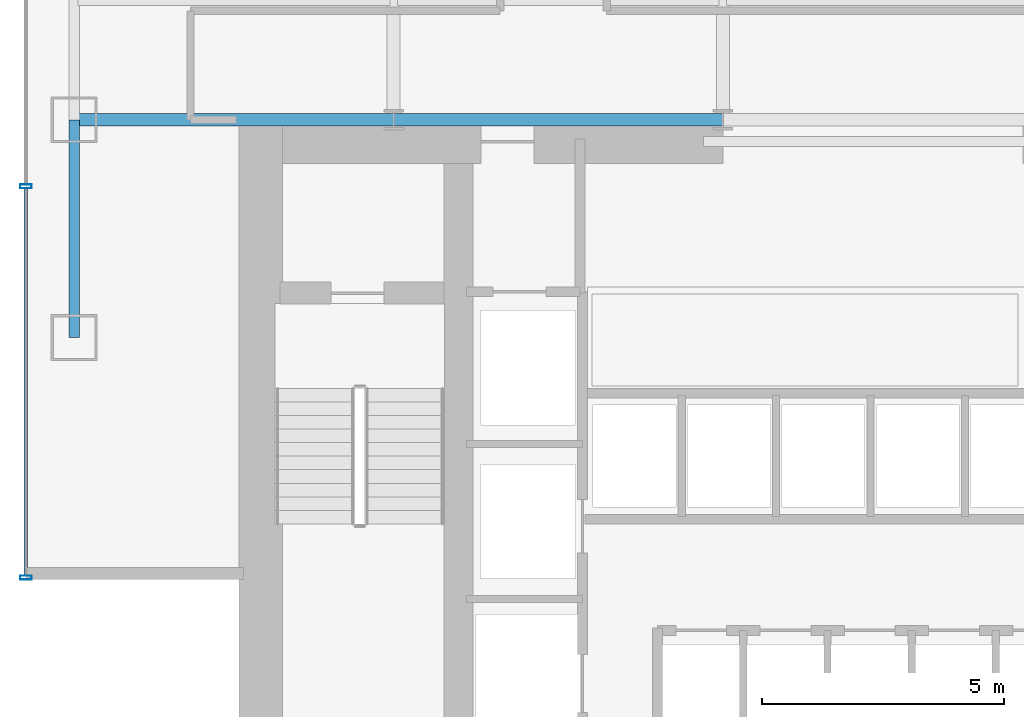
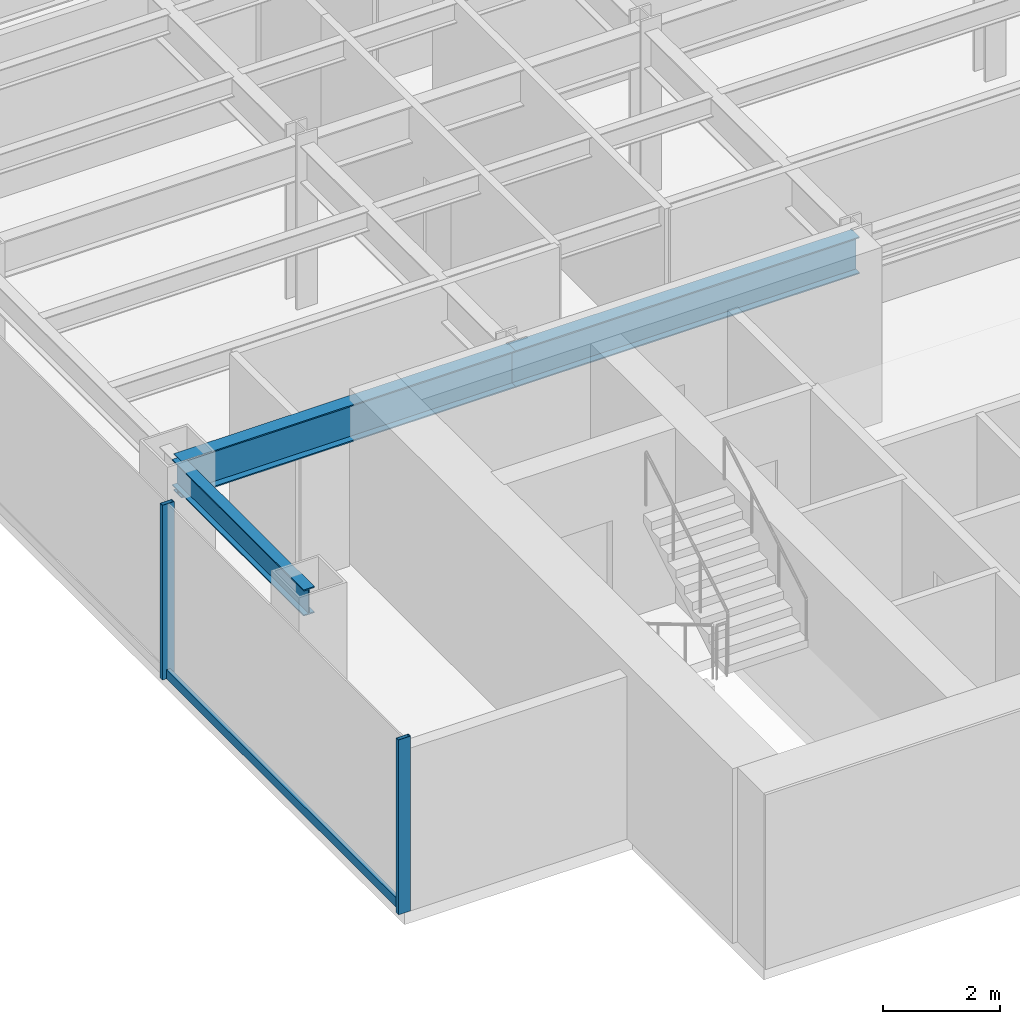
# One storey, part 2 of 22: 3 beams, 3 members, 1 element without a shape of its own.
"""IFC4 building model written with IfcOpenShell, lengths in metres."""

from ifc_helpers import new_model, si_unit, derived_unit, direction, frame, origin, origin_2d, place, context, subcontext, project, spatial, hollow_rectangle, i_section, extrude, source, transform, mapped, material, material_profile, profile_set, type_object, element, aggregate, save


model = new_model("IFC4")

# Units and contexts
model_context = context("Model", 3, precision=1e-05, world=origin(), true_north=direction((0.0, 1.0)))
body_context = subcontext(model_context, "Body", "Model", "MODEL_VIEW")
ifc_project = project(units=[si_unit("LENGTHUNIT", "METRE"), si_unit("AREAUNIT", "SQUARE_METRE"), si_unit("VOLUMEUNIT", "CUBIC_METRE"), si_unit("PLANEANGLEUNIT", "RADIAN"), si_unit("MASSUNIT", "GRAM", prefix="KILO"), derived_unit("THERMALTRANSMITTANCEUNIT", [(si_unit("POWERUNIT", "WATT"), 1), (si_unit("LENGTHUNIT", "METRE"), -2), (si_unit("THERMODYNAMICTEMPERATUREUNIT", "KELVIN"), -1)])], contexts=[model_context])

# Site, building, storey
site_placement = place(None, origin())
site = spatial("IfcSite", under=ifc_project, at=site_placement, CompositionType="ELEMENT")
building_placement = place(site_placement, origin())
building = spatial("IfcBuilding", under=site, at=building_placement, Name="Skarnbrae Concourse Arena and Tower", CompositionType="ELEMENT")
storey_placement = place(building_placement, frame((0.0, 0.0, 61.699951171875)))
storey = spatial("IfcBuildingStorey", under=building, at=storey_placement, Name="L14", CompositionType="ELEMENT", Elevation=61.699951171875)

# Beams
ifc_material_1 = material(Name="Steel CSA G40.21 350W", Category="steel")
ifc_material_profile_1 = material_profile(ifc_material_1, i_section(OverallWidth=0.26806640625, OverallDepth=0.77001953125, WebThickness=0.015625, FlangeThickness=0.025390625, at=origin_2d()), Name="W760X196")
ifc_profile_set_1 = profile_set([ifc_material_profile_1], Name="Steel CSA G40.21 350W")
beam_type_1 = type_object("IfcBeamType", Name="BM-GIRD-W760X196", PredefinedType="BEAM", material=ifc_profile_set_1)
shared_shape_1 = source(origin(), body_context, "Body", "SweptSolid", [
    extrude(i_section(OverallWidth=0.26806640625, OverallDepth=0.77001953125, WebThickness=0.015625, FlangeThickness=0.025390625, at=origin_2d()), origin(), (0.0, 0.0, 1.0), 6.60009765625),
])
beam_1_placement = place(storey_placement, frame((1.0, 14.0, 3.01513671875), z_axis=(1.0, 0.0, 0.0), x_axis=(0.0, 1.0, 0.0)))
element("IfcBeam", 1, at=beam_1_placement, inside=storey, type_object=beam_type_1, Name="L14 Primary E-W girder Y14.0-1", PredefinedType="BEAM", context=body_context, shape_type="MappedRepresentation", body=[
    mapped(shared_shape_1, transform((0.0, 0.0, 0.0))),
])
shared_shape_2 = source(origin(), body_context, "Body", "SweptSolid", [
    extrude(i_section(OverallWidth=0.26806640625, OverallDepth=0.77001953125, WebThickness=0.015625, FlangeThickness=0.025390625, at=origin_2d()), origin(), (0.0, 0.0, 1.0), 6.7998046875),
])
beam_2_placement = place(storey_placement, frame((7.60009765625, 14.0, 3.01513671875), z_axis=(1.0, 0.0, 0.0), x_axis=(0.0, 1.0, 0.0)))
element("IfcBeam", 2, at=beam_2_placement, inside=storey, type_object=beam_type_1, Name="L14 Primary E-W girder Y14.0-2", PredefinedType="BEAM", context=body_context, shape_type="MappedRepresentation", body=[
    mapped(shared_shape_2, transform((0.0, 0.0, 0.0))),
])
ifc_material_profile_2 = material_profile(ifc_material_1, i_section(OverallWidth=0.214111328125, OverallDepth=0.549072265625, WebThickness=0.0146484375, FlangeThickness=0.023681640625, at=origin_2d()), Name="W530X138")
ifc_profile_set_2 = profile_set([ifc_material_profile_2], Name="Steel CSA G40.21 350W")
beam_type_2 = type_object("IfcBeamType", Name="BM-SPAN-W530X138", PredefinedType="SPANDREL", material=ifc_profile_set_2)
shared_shape_3 = source(origin(), body_context, "Body", "SweptSolid", [
    extrude(i_section(OverallWidth=0.214111328125, OverallDepth=0.549072265625, WebThickness=0.0146484375, FlangeThickness=0.023681640625, at=origin_2d()), origin(), (0.0, 0.0, 1.0), 4.5),
])
beam_3_placement = place(storey_placement, frame((1.0, 9.5, 3.12548828125), z_axis=(0.0, 1.0, 0.0), x_axis=(-1.0, 0.0, 0.0)))
element("IfcBeam", 3, at=beam_3_placement, inside=storey, type_object=beam_type_2, Name="L14 Perimeter spandrel X1.0-1", PredefinedType="SPANDREL", context=body_context, shape_type="MappedRepresentation", body=[
    mapped(shared_shape_3, transform((0.0, 0.0, 0.0))),
])

# Curtain wall, members
ifc_material_2 = material(Name="Bronze anodised aluminium 6063-T6", Category="aluminium")
curtain_wall_type = type_object("IfcCurtainWallType", Name="CW-SYS-02-LOWZONE", PredefinedType="USERDEFINED", material=ifc_material_2)
curtain_wall_placement = place(storey_placement, origin())
curtain_wall = element("IfcCurtainWall", 4, at=curtain_wall_placement, inside=storey, type_object=curtain_wall_type, Name="L14 Unitised curtain wall CW-L14-E19", ObjectType="UNITISED CURTAIN WALL", PredefinedType="USERDEFINED")
ifc_material_profile_3 = material_profile(ifc_material_2, hollow_rectangle(XDim=0.080078125, YDim=0.18994140625, WallThickness=0.0048828125, at=origin_2d()), Name="ALU-TRAN-80X190")
ifc_profile_set_3 = profile_set([ifc_material_profile_3], Name="Bronze anodised aluminium 6063-T6")
member_type_1 = type_object("IfcMemberType", Name="CWT-CW-02", PredefinedType="USERDEFINED", material=ifc_profile_set_3)
shared_shape_4 = source(origin(), body_context, "Body", "SweptSolid", [
    extrude(hollow_rectangle(XDim=0.080078125, YDim=0.18994140625, WallThickness=0.0048828125, at=origin_2d()), origin(), (0.0, 0.0, 1.0), 8.0048828125),
])
member_1_placement = place(storey_placement, frame((0.0, 12.5849609375, 0.094970703125), z_axis=(0.0, -1.0, 0.0), x_axis=(1.0, 0.0, 0.0)))
member_1 = element("IfcMember", 5, at=member_1_placement, type_object=member_type_1, Name="CW-L14-E19 Transom 4", ObjectType="TRANSOM", PredefinedType="USERDEFINED", context=body_context, shape_type="MappedRepresentation", body=[
    mapped(shared_shape_4, transform((0.0, 0.0, 0.0))),
])
ifc_material_profile_4 = material_profile(ifc_material_2, hollow_rectangle(XDim=0.080078125, YDim=0.239990234375, WallThickness=0.0048828125, at=origin_2d()), Name="ALU-MULL-80X240")
ifc_profile_set_4 = profile_set([ifc_material_profile_4], Name="Bronze anodised aluminium 6063-T6")
member_type_2 = type_object("IfcMemberType", Name="CWM-CW-02", PredefinedType="MULLION", material=ifc_profile_set_4)
shared_shape_5 = source(origin(), body_context, "Body", "SweptSolid", [
    extrude(hollow_rectangle(XDim=0.080078125, YDim=0.239990234375, WallThickness=0.0048828125, at=origin_2d()), origin(), (0.0, 0.0, 1.0), 3.650146484375),
])
member_2_placement = place(storey_placement, frame((0.0, 12.625, 0.0), z_axis=(0.0, 0.0, 1.0), x_axis=(0.0, -1.0, 0.0)))
member_2 = element("IfcMember", 6, at=member_2_placement, type_object=member_type_2, Name="CW-L14-E19 Mullion 4", PredefinedType="MULLION", context=body_context, shape_type="MappedRepresentation", body=[
    mapped(shared_shape_5, transform((0.0, 0.0, 0.0))),
])
member_3_placement = place(storey_placement, frame((0.0, 4.5400390625, 0.0), z_axis=(0.0, 0.0, 1.0), x_axis=(0.0, -1.0, 0.0)))
member_3 = element("IfcMember", 7, at=member_3_placement, type_object=member_type_2, Name="CW-L14-E19 Mullion 5", PredefinedType="MULLION", context=body_context, shape_type="MappedRepresentation", body=[
    mapped(shared_shape_5, transform((0.0, 0.0, 0.0))),
])
aggregate(curtain_wall, [member_2, member_3, member_1])

save(model, "model.ifc")
